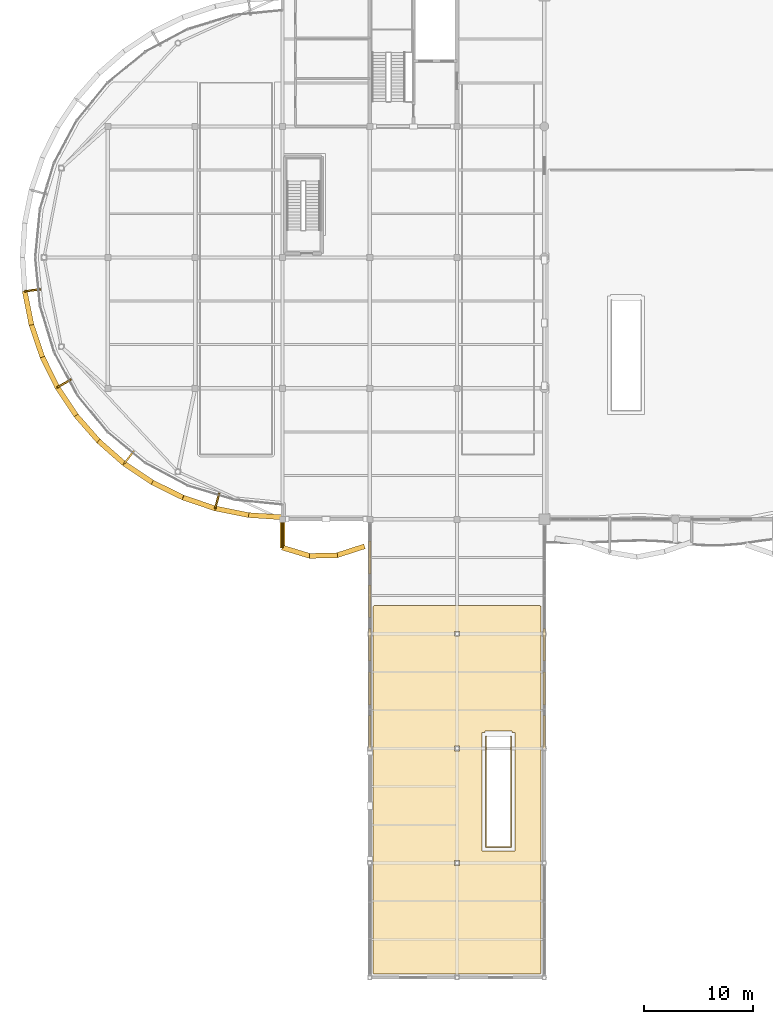
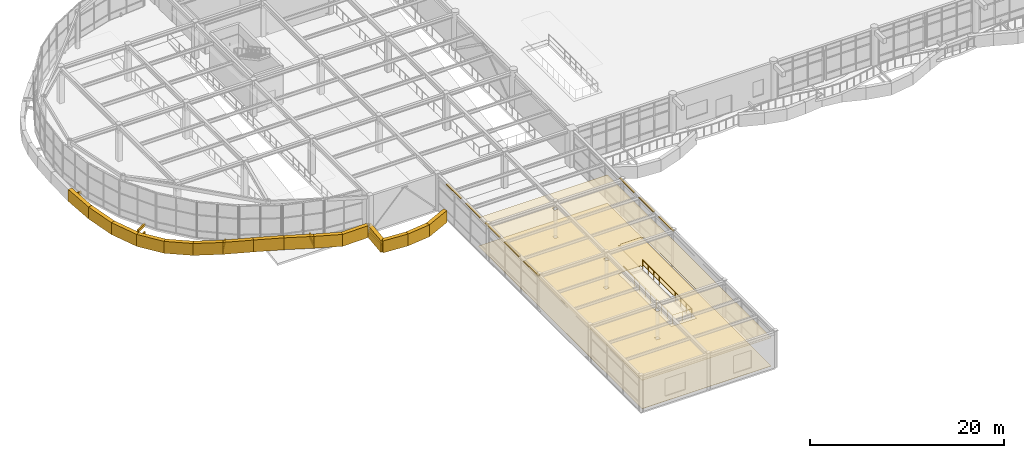
# One storey, part 57 of 72: 24 coverings, 8 shading devices, 1 railing.
"""IFC4 building model written with IfcOpenShell, lengths in metres."""

from ifc_helpers import new_model, si_unit, direction, frame, frame_2d, origin, origin_2d, place, context, subcontext, project, spatial, polyline, rectangle, circle, outline, extrude, material, layer, layer_set, type_object, element, save


model = new_model("IFC4")

# Units and contexts
model_context = context("Model", 3, precision=1e-05, world=origin(), true_north=direction((0.0, 1.0)))
body_context = subcontext(model_context, "Body", "Model", "MODEL_VIEW")
ifc_project = project(units=[si_unit("LENGTHUNIT", "METRE"), si_unit("AREAUNIT", "SQUARE_METRE"), si_unit("VOLUMEUNIT", "CUBIC_METRE"), si_unit("PLANEANGLEUNIT", "RADIAN"), si_unit("MASSUNIT", "GRAM", prefix="KILO")], contexts=[model_context])

# Site, building, storey
site_placement = place(None, origin())
site = spatial("IfcSite", under=ifc_project, at=site_placement, CompositionType="ELEMENT")
building_placement = place(site_placement, origin())
building = spatial("IfcBuilding", under=site, at=building_placement, Name="Keelwater Ferry Terminal", CompositionType="ELEMENT")
storey_placement = place(building_placement, frame((0.0, 0.0, 5.39990234375)))
storey = spatial("IfcBuildingStorey", under=building, at=storey_placement, Name="L01", CompositionType="ELEMENT", Elevation=5.39990234375)

# Coverings
ifc_material_1 = material(Name="Perforated acoustic gypsum board ceiling", Category="gypsum")
ifc_layer_1 = layer(ifc_material_1, 0.044921875)
ifc_layer_set_1 = layer_set([ifc_layer_1], Name="Perforated acoustic gypsum board ceiling")
covering_type_1 = type_object("IfcCoveringType", Name="CL-AC Acoustic Baffle Ceiling", PredefinedType="CEILING", material=ifc_layer_set_1)
covering_1_placement = place(storey_placement, frame((0.0, 0.0, 3.550048828125)))
element("IfcCovering", 1, at=covering_1_placement, inside=storey, type_object=covering_type_1, Name="West Passenger Boarding Bridge Acoustic Ceiling", PredefinedType="CEILING", context=body_context, shape_type="SweptSolid", body=[
    extrude(outline(polyline([(47.615966796875, 34.077880859375), (47.623046875, 34.076904296875), (47.631103515625, 34.073974609375), (47.637939453125, 34.071044921875), (47.64404296875, 34.06689453125), (47.65087890625, 34.06201171875), (47.656982421875, 34.056884765625), (47.662109375, 34.051025390625), (47.6669921875, 34.0439453125), (47.6708984375, 34.0380859375), (47.674072265625, 34.031005859375), (47.677001953125, 34.02294921875), (47.677978515625, 34.01611328125), (47.679931640625, 34.008056640625), (47.679931640625, 34.0), (47.679931640625, 0.39990234375), (47.679931640625, 0.39208984375), (47.677978515625, 0.384033203125), (47.677001953125, 0.376953125), (47.674072265625, 0.368896484375), (47.6708984375, 0.362060546875), (47.6669921875, 0.35595703125), (47.662109375, 0.34912109375), (47.656982421875, 0.343017578125), (47.65087890625, 0.337890625), (47.64404296875, 0.3330078125), (47.637939453125, 0.3291015625), (47.631103515625, 0.325927734375), (47.623046875, 0.322998046875), (47.615966796875, 0.322021484375), (47.60791015625, 0.320068359375), (47.60009765625, 0.320068359375), (32.39990234375, 0.320068359375), (32.39208984375, 0.320068359375), (32.384033203125, 0.322021484375), (32.376953125, 0.322998046875), (32.368896484375, 0.325927734375), (32.362060546875, 0.3291015625), (32.35595703125, 0.3330078125), (32.34912109375, 0.337890625), (32.343017578125, 0.343017578125), (32.337890625, 0.34912109375), (32.3330078125, 0.35595703125), (32.3291015625, 0.362060546875), (32.325927734375, 0.368896484375), (32.322998046875, 0.376953125), (32.322021484375, 0.384033203125), (32.320068359375, 0.39208984375), (32.320068359375, 0.39990234375), (32.320068359375, 34.0), (32.320068359375, 34.008056640625), (32.322021484375, 34.01611328125), (32.322998046875, 34.02294921875), (32.325927734375, 34.031005859375), (32.3291015625, 34.0380859375), (32.3330078125, 34.0439453125), (32.337890625, 34.051025390625), (32.343017578125, 34.056884765625), (32.34912109375, 34.06201171875), (32.35595703125, 34.06689453125), (32.362060546875, 34.071044921875), (32.368896484375, 34.073974609375), (32.376953125, 34.076904296875), (32.384033203125, 34.077880859375), (32.39208984375, 34.080078125), (32.39990234375, 34.080078125), (47.60009765625, 34.080078125), (47.60791015625, 34.080078125), (47.615966796875, 34.077880859375)]), holes=[polyline([(42.580078125, 22.6201171875), (42.580078125, 22.47998046875), (42.300048828125, 22.47998046875), (42.300048828125, 11.60009765625), (45.300048828125, 11.60009765625), (45.300048828125, 22.47998046875), (45.02001953125, 22.47998046875), (45.02001953125, 22.6201171875), (42.580078125, 22.6201171875)]), polyline([(39.787109375, 10.712890625), (39.787109375, 10.287109375), (40.212890625, 10.287109375), (40.212890625, 10.712890625), (39.787109375, 10.712890625)]), polyline([(39.787109375, 21.212890625), (39.787109375, 20.787109375), (40.212890625, 20.787109375), (40.212890625, 21.212890625), (39.787109375, 21.212890625)]), polyline([(40.212890625, 31.712890625), (39.787109375, 31.712890625), (39.787109375, 31.287109375), (40.212890625, 31.287109375), (40.212890625, 31.712890625)])]), origin(), (0.0, 0.0, 1.0), 0.045166015625),
])
ifc_material_2 = material(Name="Polished mineral terrazzo tile", Category="stone")
ifc_layer_2 = layer(ifc_material_2, 0.030029296875)
ifc_layer_set_2 = layer_set([ifc_layer_2], Name="Polished mineral terrazzo tile")
covering_type_2 = type_object("IfcCoveringType", Name="FL-TZ Marine Terrazzo Flooring", PredefinedType="FLOORING", material=ifc_layer_set_2)
covering_2_placement = place(storey_placement, origin())
element("IfcCovering", 2, at=covering_2_placement, inside=storey, type_object=covering_type_2, Name="West Passenger Boarding Bridge Terrazzo Floor", PredefinedType="FLOORING", context=body_context, shape_type="SweptSolid", body=[
    extrude(outline(polyline([(47.615966796875, 34.077880859375), (47.623046875, 34.076904296875), (47.631103515625, 34.073974609375), (47.637939453125, 34.071044921875), (47.64404296875, 34.06689453125), (47.65087890625, 34.06201171875), (47.656982421875, 34.056884765625), (47.662109375, 34.051025390625), (47.6669921875, 34.0439453125), (47.6708984375, 34.0380859375), (47.674072265625, 34.031005859375), (47.677001953125, 34.02294921875), (47.677978515625, 34.01611328125), (47.679931640625, 34.008056640625), (47.679931640625, 34.0), (47.679931640625, 0.39990234375), (47.679931640625, 0.39208984375), (47.677978515625, 0.384033203125), (47.677001953125, 0.376953125), (47.674072265625, 0.368896484375), (47.6708984375, 0.362060546875), (47.6669921875, 0.35595703125), (47.662109375, 0.34912109375), (47.656982421875, 0.343017578125), (47.65087890625, 0.337890625), (47.64404296875, 0.3330078125), (47.637939453125, 0.3291015625), (47.631103515625, 0.325927734375), (47.623046875, 0.322998046875), (47.615966796875, 0.322021484375), (47.60791015625, 0.320068359375), (47.60009765625, 0.320068359375), (32.39990234375, 0.320068359375), (32.39208984375, 0.320068359375), (32.384033203125, 0.322021484375), (32.376953125, 0.322998046875), (32.368896484375, 0.325927734375), (32.362060546875, 0.3291015625), (32.35595703125, 0.3330078125), (32.34912109375, 0.337890625), (32.343017578125, 0.343017578125), (32.337890625, 0.34912109375), (32.3330078125, 0.35595703125), (32.3291015625, 0.362060546875), (32.325927734375, 0.368896484375), (32.322998046875, 0.376953125), (32.322021484375, 0.384033203125), (32.320068359375, 0.39208984375), (32.320068359375, 0.39990234375), (32.320068359375, 34.0), (32.320068359375, 34.008056640625), (32.322021484375, 34.01611328125), (32.322998046875, 34.02294921875), (32.325927734375, 34.031005859375), (32.3291015625, 34.0380859375), (32.3330078125, 34.0439453125), (32.337890625, 34.051025390625), (32.343017578125, 34.056884765625), (32.34912109375, 34.06201171875), (32.35595703125, 34.06689453125), (32.362060546875, 34.071044921875), (32.368896484375, 34.073974609375), (32.376953125, 34.076904296875), (32.384033203125, 34.077880859375), (32.39208984375, 34.080078125), (32.39990234375, 34.080078125), (47.60009765625, 34.080078125), (47.60791015625, 34.080078125), (47.615966796875, 34.077880859375)]), holes=[polyline([(42.580078125, 22.6201171875), (42.580078125, 22.47998046875), (42.300048828125, 22.47998046875), (42.300048828125, 11.60009765625), (45.300048828125, 11.60009765625), (45.300048828125, 22.47998046875), (45.02001953125, 22.47998046875), (45.02001953125, 22.6201171875), (42.580078125, 22.6201171875)]), polyline([(39.787109375, 10.712890625), (39.787109375, 10.287109375), (40.212890625, 10.287109375), (40.212890625, 10.712890625), (39.787109375, 10.712890625)]), polyline([(39.787109375, 21.212890625), (39.787109375, 20.787109375), (40.212890625, 20.787109375), (40.212890625, 21.212890625), (39.787109375, 21.212890625)]), polyline([(40.212890625, 31.712890625), (39.787109375, 31.712890625), (39.787109375, 31.287109375), (40.212890625, 31.287109375), (40.212890625, 31.712890625)])]), origin(), (0.0, 0.0, 1.0), 0.030029296875),
])

# Railing
ifc_material_3 = material(Name="Painted Steel S355", Category="steel")
railing_type = type_object("IfcRailingType", Name="GR-115 Stair Well Guardrail", PredefinedType="GUARDRAIL", material=ifc_material_3)
railing_placement = place(storey_placement, frame((44.93994140625, 22.080078125, 0.0)))
element("IfcRailing", 3, at=railing_placement, inside=storey, type_object=railing_type, Name="Straight Stair BS-01 Top Well U-Guard 123", PredefinedType="GUARDRAIL", context=body_context, shape_type="SweptSolid", body=[
    extrude(circle(Radius=0.02392578125, at=origin_2d()), frame((0.0, 0.0, 1.1259765625), z_axis=(0.0, -1.0, 0.0), x_axis=(1.0, 0.0, 0.0)), (0.0, 0.0, 1.0), 10.1201171875),
    extrude(circle(Radius=0.02392578125, at=origin_2d()), frame((0.0, -10.1201171875, 1.1259765625), z_axis=(-1.0, 0.0, 0.0), x_axis=(0.0, -1.0, 0.0)), (0.0, 0.0, 1.0), 2.280029296875),
    extrude(circle(Radius=0.02392578125, at=origin_2d()), frame((-2.280029296875, -10.1201171875, 1.1259765625), z_axis=(0.0, 1.0, 0.0), x_axis=(-1.0, 0.0, 0.0)), (0.0, 0.0, 1.0), 10.1201171875),
    extrude(circle(Radius=0.02099609375, at=origin_2d()), origin(), (0.0, 0.0, 1.0), 1.101806640625),
    extrude(circle(Radius=0.02099609375, at=origin_2d()), frame((0.0, -1.12451171875, 0.0)), (0.0, 0.0, 1.0), 1.101806640625),
    extrude(circle(Radius=0.02099609375, at=origin_2d()), frame((0.0, -2.2490234375, 0.0)), (0.0, 0.0, 1.0), 1.101806640625),
    extrude(circle(Radius=0.02099609375, at=origin_2d()), frame((0.0, -3.373291015625, 0.0)), (0.0, 0.0, 1.0), 1.101806640625),
    extrude(circle(Radius=0.02099609375, at=origin_2d()), frame((0.0, -4.497802734375, 0.0)), (0.0, 0.0, 1.0), 1.101806640625),
    extrude(circle(Radius=0.02099609375, at=origin_2d()), frame((0.0, -5.622314453125, 0.0)), (0.0, 0.0, 1.0), 1.101806640625),
    extrude(circle(Radius=0.02099609375, at=origin_2d()), frame((0.0, -6.746826171875, 0.0)), (0.0, 0.0, 1.0), 1.101806640625),
    extrude(circle(Radius=0.02099609375, at=origin_2d()), frame((0.0, -7.87109375, 0.0)), (0.0, 0.0, 1.0), 1.101806640625),
    extrude(circle(Radius=0.02099609375, at=origin_2d()), frame((0.0, -8.99560546875, 0.0)), (0.0, 0.0, 1.0), 1.101806640625),
    extrude(circle(Radius=0.02099609375, at=origin_2d()), frame((0.0, -10.1201171875, 0.0)), (0.0, 0.0, 1.0), 1.101806640625),
    extrude(circle(Radius=0.02099609375, at=origin_2d()), frame((-1.14013671875, -10.1201171875, 0.0)), (0.0, 0.0, 1.0), 1.101806640625),
    extrude(circle(Radius=0.02099609375, at=origin_2d()), frame((-2.280029296875, -10.1201171875, 0.0)), (0.0, 0.0, 1.0), 1.101806640625),
    extrude(circle(Radius=0.02099609375, at=origin_2d()), frame((-2.280029296875, -8.99560546875, 0.0)), (0.0, 0.0, 1.0), 1.101806640625),
    extrude(circle(Radius=0.02099609375, at=origin_2d()), frame((-2.280029296875, -7.87109375, 0.0)), (0.0, 0.0, 1.0), 1.101806640625),
    extrude(circle(Radius=0.02099609375, at=origin_2d()), frame((-2.280029296875, -6.746826171875, 0.0)), (0.0, 0.0, 1.0), 1.101806640625),
    extrude(circle(Radius=0.02099609375, at=origin_2d()), frame((-2.280029296875, -5.622314453125, 0.0)), (0.0, 0.0, 1.0), 1.101806640625),
    extrude(circle(Radius=0.02099609375, at=origin_2d()), frame((-2.280029296875, -4.497802734375, 0.0)), (0.0, 0.0, 1.0), 1.101806640625),
    extrude(circle(Radius=0.02099609375, at=origin_2d()), frame((-2.280029296875, -3.373291015625, 0.0)), (0.0, 0.0, 1.0), 1.101806640625),
    extrude(circle(Radius=0.02099609375, at=origin_2d()), frame((-2.280029296875, -2.2490234375, 0.0)), (0.0, 0.0, 1.0), 1.101806640625),
    extrude(circle(Radius=0.02099609375, at=origin_2d()), frame((-2.280029296875, -1.12451171875, 0.0)), (0.0, 0.0, 1.0), 1.101806640625),
    extrude(circle(Radius=0.02099609375, at=origin_2d()), frame((-2.280029296875, 0.0, 0.0)), (0.0, 0.0, 1.0), 1.101806640625),
])

# Shading devices
ifc_material_4 = material(Name="Anodised marine aluminium louvre", Category="aluminium")
ifc_layer_3 = layer(ifc_material_4, 0.080078125)
ifc_layer_set_3 = layer_set([ifc_layer_3], Name="Anodised marine aluminium louvre")
shading_device_type = type_object("IfcShadingDeviceType", Name="LV-MAR Marine Shading Louvre", PredefinedType="JALOUSIE", material=ifc_layer_set_3)
for number, where, z_axis, x_axis, name in (
    (4, (32.0, 22.5, 4.31005859375), (0.0, 0.0, 1.0), (1.0, 0.0, 0.0), "Marine Shading Louvre 1"),
    (5, (32.0, 26.5, 4.31005859375), (0.0, 0.0, 1.0), (1.0, 0.0, 0.0), "Marine Shading Louvre 2"),
    (6, (32.0, 30.5, 4.31005859375), (0.0, 0.0, 1.0), (1.0, 0.0, 0.0), "Marine Shading Louvre 3"),
    (7, (32.0, 34.5, 4.31005859375), (0.0, 0.0, 1.0), (1.0, 0.0, 0.0), "Marine Shading Louvre 4"),
    (8, (32.0, 38.5, 4.31005859375), (0.0, 0.0, 1.0), (1.0, 0.0, 0.0), "Marine Shading Louvre 5"),
    (9, (48.0, 22.5, 4.31005859375), (0.0, 0.0, 1.0), (1.0, 0.0, 0.0), "Marine Shading Louvre 6"),
    (10, (48.0, 26.5, 4.31005859375), (0.0, 0.0, 1.0), (1.0, 0.0, 0.0), "Marine Shading Louvre 7"),
    (11, (48.0, 30.5, 4.31005859375), (0.0, 0.0, 1.0), (1.0, 0.0, 0.0), "Marine Shading Louvre 8"),
):
    element("IfcShadingDevice", number, at=place(storey_placement, frame(where, z_axis=z_axis, x_axis=x_axis)), inside=storey, type_object=shading_device_type, Name=name, PredefinedType="JALOUSIE", context=body_context, shape_type="SweptSolid", body=[
        extrude(rectangle(XDim=0.219970703125, YDim=3.0, at=origin_2d()), origin(), (0.0, 0.0, 1.0), 0.080078125),
    ])

# Coverings
ifc_material_5 = material(Name="Matte white architectural aluminium fascia ribbon", Category="aluminium")
ifc_layer_4 = layer(ifc_material_5, 0.1201171875)
ifc_layer_set_4 = layer_set([ifc_layer_4], Name="Matte white architectural aluminium fascia ribbon")
covering_type_3 = type_object("IfcCoveringType", Name="RB-WHT Matte White Fascia Ribbon", PredefinedType="CLADDING", material=ifc_layer_set_4)
covering_3_placement = place(storey_placement, frame((0.37890625, 62.916015625, -1.101806640625), z_axis=(0.0, 0.0, 1.0), x_axis=(0.195196875454, -0.98076407959, 0.0)))
element("IfcCovering", 12, at=covering_3_placement, inside=storey, type_object=covering_type_3, Name="Concourse Lower Wave Fascia Ribbon 240", PredefinedType="CLADDING", context=body_context, shape_type="SweptSolid", body=[
    extrude(outline(polyline([(0.0, 0.544921875), (3.1669921875, 0.0), (3.1669921875, 1.5), (0.0, 2.044921875), (0.0, 0.544921875)])), frame((0.0, 0.22998046875, 0.0), z_axis=(0.0, -1.0, 0.0), x_axis=(1.0, 0.0, 0.0)), (0.0, 0.0, 1.0), 0.4599609375),
])
covering_4_placement = place(storey_placement, frame((0.384033203125, 62.89111328125, -0.25), z_axis=(0.0, 0.0, 1.0), x_axis=(0.991476053756, 0.130289043397, 0.0)))
element("IfcCovering", 13, at=covering_4_placement, inside=storey, type_object=covering_type_3, Name="Ribbon Slab Tie Bracket 246", PredefinedType="CLADDING", context=body_context, shape_type="SweptSolid", body=[
    extrude(rectangle(XDim=1.450439453125, YDim=0.159912109375, at=frame_2d((0.72509765625, 0.0))), origin(), (0.0, 0.0, 1.0), 0.300048828125),
])
covering_5_placement = place(storey_placement, frame((0.98388671875, 59.85888671875, -1.6240234375), z_axis=(0.0, 0.0, 1.0), x_axis=(0.321196336342, -0.94701262585, 0.0)))
element("IfcCovering", 14, at=covering_5_placement, inside=storey, type_object=covering_type_3, Name="Concourse Lower Wave Fascia Ribbon 251", PredefinedType="CLADDING", context=body_context, shape_type="SweptSolid", body=[
    extrude(outline(polyline([(0.0, 0.522216796875), (3.16650390625, 0.0), (3.16650390625, 1.5), (0.0, 2.022216796875), (0.0, 0.522216796875)])), frame((0.0, 0.22998046875, 0.0), z_axis=(0.0, -1.0, 0.0), x_axis=(1.0, 0.0, 0.0)), (0.0, 0.0, 1.0), 0.4599609375),
])
covering_6_placement = place(storey_placement, frame((1.98193359375, 56.906005859375, -1.889892578125), z_axis=(0.0, 0.0, 1.0), x_axis=(0.442454846905, -0.896790782987, 0.0)))
element("IfcCovering", 15, at=covering_6_placement, inside=storey, type_object=covering_type_3, Name="Concourse Lower Wave Fascia Ribbon 255", PredefinedType="CLADDING", context=body_context, shape_type="SweptSolid", body=[
    extrude(outline(polyline([(0.0, 0.265869140625), (3.16455078125, 0.0), (3.16455078125, 1.5), (0.0, 1.765869140625), (0.0, 0.265869140625)])), frame((0.0, 0.22998046875, 0.0), z_axis=(0.0, -1.0, 0.0), x_axis=(1.0, 0.0, 0.0)), (0.0, 0.0, 1.0), 0.4599609375),
])
covering_7_placement = place(storey_placement, frame((3.35693359375, 54.111083984375, -1.889892578125), z_axis=(0.0, 0.0, 1.0), x_axis=(0.55550058618, -0.831516144614, 0.0)))
element("IfcCovering", 16, at=covering_7_placement, inside=storey, type_object=covering_type_3, Name="Concourse Lower Wave Fascia Ribbon 259", PredefinedType="CLADDING", context=body_context, shape_type="SweptSolid", body=[
    extrude(outline(polyline([(0.0, 0.0), (3.16650390625, 0.10595703125), (3.16650390625, 1.60595703125), (0.0, 1.5), (0.0, 0.0)])), frame((0.0, 0.22998046875, 0.0), z_axis=(0.0, -1.0, 0.0), x_axis=(1.0, 0.0, 0.0)), (0.0, 0.0, 1.0), 0.4599609375),
])
covering_8_placement = place(storey_placement, frame((3.37109375, 54.090087890625, -1.27978515625), z_axis=(0.0, 0.0, 1.0), x_axis=(0.866090267075, 0.499887636653, 0.0)))
element("IfcCovering", 17, at=covering_8_placement, inside=storey, type_object=covering_type_3, Name="Ribbon Horizontal Tie Bracket 263", PredefinedType="CLADDING", context=body_context, shape_type="SweptSolid", body=[
    extrude(rectangle(XDim=1.449951171875, YDim=0.159912109375, at=frame_2d((0.72509765625, 0.0))), origin(), (0.0, 0.0, 1.0), 0.27978515625),
])
covering_9_placement = place(storey_placement, frame((3.37109375, 54.090087890625, -0.25), z_axis=(0.0, 0.0, 1.0), x_axis=(0.866090267075, 0.499887636653, 0.0)))
element("IfcCovering", 18, at=covering_9_placement, inside=storey, type_object=covering_type_3, Name="Ribbon Slab Tie Bracket 265", PredefinedType="CLADDING", context=body_context, shape_type="SweptSolid", body=[
    extrude(rectangle(XDim=1.449951171875, YDim=0.159912109375, at=frame_2d((0.72509765625, 0.0))), origin(), (0.0, 0.0, 1.0), 0.300048828125),
])
covering_10_placement = place(storey_placement, frame((5.0859375, 51.51806640625, -1.783935546875), z_axis=(0.0, 0.0, 1.0), x_axis=(0.65931776004, -0.75186441018, 0.0)))
element("IfcCovering", 19, at=covering_10_placement, inside=storey, type_object=covering_type_3, Name="Concourse Lower Wave Fascia Ribbon 270", PredefinedType="CLADDING", context=body_context, shape_type="SweptSolid", body=[
    extrude(outline(polyline([(0.0, 0.0), (3.16552734375, 0.43310546875), (3.16552734375, 1.93310546875), (0.0, 1.5), (0.0, 0.0)])), frame((0.0, 0.22998046875, 0.0), z_axis=(0.0, -1.0, 0.0), x_axis=(1.0, 0.0, 0.0)), (0.0, 0.0, 1.0), 0.4599609375),
])
covering_11_placement = place(storey_placement, frame((7.137939453125, 49.173095703125, -1.350830078125), z_axis=(0.0, 0.0, 1.0), x_axis=(0.75186441018, -0.65931776004, 0.0)))
element("IfcCovering", 20, at=covering_11_placement, inside=storey, type_object=covering_type_3, Name="Concourse Lower Wave Fascia Ribbon 274", PredefinedType="CLADDING", context=body_context, shape_type="SweptSolid", body=[
    extrude(outline(polyline([(0.0, 0.0), (3.16552734375, 0.56689453125), (3.16552734375, 2.06689453125), (0.0, 1.5), (0.0, 0.0)])), frame((0.0, 0.22998046875, 0.0), z_axis=(0.0, -1.0, 0.0), x_axis=(1.0, 0.0, 0.0)), (0.0, 0.0, 1.0), 0.4599609375),
])
covering_12_placement = place(storey_placement, frame((9.47802734375, 47.115966796875, -0.783935546875), z_axis=(0.0, 0.0, 1.0), x_axis=(0.831516144614, -0.55550058618, 0.0)))
element("IfcCovering", 21, at=covering_12_placement, inside=storey, type_object=covering_type_3, Name="Concourse Lower Wave Fascia Ribbon 278", PredefinedType="CLADDING", context=body_context, shape_type="SweptSolid", body=[
    extrude(outline(polyline([(0.0, 0.0), (3.16650390625, 0.447998046875), (3.16650390625, 1.947998046875), (0.0, 1.5), (0.0, 0.0)])), frame((0.0, 0.22998046875, 0.0), z_axis=(0.0, -1.0, 0.0), x_axis=(1.0, 0.0, 0.0)), (0.0, 0.0, 1.0), 0.4599609375),
])
covering_13_placement = place(storey_placement, frame((9.4990234375, 47.10205078125, -0.25), z_axis=(0.0, 0.0, 1.0), x_axis=(0.609067672467, 0.793118257484, 0.0)))
element("IfcCovering", 22, at=covering_13_placement, inside=storey, type_object=covering_type_3, Name="Ribbon Slab Tie Bracket 283", PredefinedType="CLADDING", context=body_context, shape_type="SweptSolid", body=[
    extrude(rectangle(XDim=1.449951171875, YDim=0.159912109375, at=frame_2d((0.72509765625, 0.0))), origin(), (0.0, 0.0, 1.0), 0.300048828125),
])
covering_14_placement = place(storey_placement, frame((12.068115234375, 45.382080078125, -0.3359375), z_axis=(0.0, 0.0, 1.0), x_axis=(0.896790782987, -0.442454846905, 0.0)))
element("IfcCovering", 23, at=covering_14_placement, inside=storey, type_object=covering_type_3, Name="Concourse Lower Wave Fascia Ribbon 288", PredefinedType="CLADDING", context=body_context, shape_type="SweptSolid", body=[
    extrude(outline(polyline([(0.0, 0.0), (3.16455078125, 0.131103515625), (3.16455078125, 1.631103515625), (0.0, 1.5), (0.0, 0.0)])), frame((0.0, 0.22998046875, 0.0), z_axis=(0.0, -1.0, 0.0), x_axis=(1.0, 0.0, 0.0)), (0.0, 0.0, 1.0), 0.4599609375),
])
covering_15_placement = place(storey_placement, frame((14.860107421875, 44.0009765625, -0.449951171875), z_axis=(0.0, 0.0, 1.0), x_axis=(0.94701262585, -0.321196336342, 0.0)))
element("IfcCovering", 24, at=covering_15_placement, inside=storey, type_object=covering_type_3, Name="Concourse Lower Wave Fascia Ribbon 292", PredefinedType="CLADDING", context=body_context, shape_type="SweptSolid", body=[
    extrude(outline(polyline([(0.0, 0.2451171875), (3.16650390625, 0.0), (3.16650390625, 1.5), (0.0, 1.7451171875), (0.0, 0.2451171875)])), frame((0.0, 0.22998046875, 0.0), z_axis=(0.0, -1.0, 0.0), x_axis=(1.0, 0.0, 0.0)), (0.0, 0.0, 1.0), 0.4599609375),
])
covering_16_placement = place(storey_placement, frame((17.81005859375, 42.9970703125, -0.907958984375), z_axis=(0.0, 0.0, 1.0), x_axis=(0.98076407959, -0.195196875454, 0.0)))
element("IfcCovering", 25, at=covering_16_placement, inside=storey, type_object=covering_type_3, Name="Concourse Lower Wave Fascia Ribbon 296", PredefinedType="CLADDING", context=body_context, shape_type="SweptSolid", body=[
    extrude(outline(polyline([(0.0, 0.4580078125), (3.1669921875, 0.0), (3.1669921875, 1.5), (0.0, 1.9580078125), (0.0, 0.4580078125)])), frame((0.0, 0.22998046875, 0.0), z_axis=(0.0, -1.0, 0.0), x_axis=(1.0, 0.0, 0.0)), (0.0, 0.0, 1.0), 0.4599609375),
])
covering_17_placement = place(storey_placement, frame((17.8349609375, 42.991943359375, 0.16015625), z_axis=(0.0, 0.0, 1.0), x_axis=(0.258542567344, 0.965999865875, 0.0)))
element("IfcCovering", 26, at=covering_17_placement, inside=storey, type_object=covering_type_3, Name="Ribbon Horizontal Tie Bracket 300", PredefinedType="CLADDING", context=body_context, shape_type="SweptSolid", body=[
    extrude(rectangle(XDim=1.450439453125, YDim=0.159912109375, at=frame_2d((0.72509765625, 0.0))), origin(), (0.0, 0.0, 1.0), 0.280029296875),
])
covering_18_placement = place(storey_placement, frame((17.8349609375, 42.991943359375, -0.25), z_axis=(0.0, 0.0, 1.0), x_axis=(0.258542567344, 0.965999865875, 0.0)))
element("IfcCovering", 27, at=covering_18_placement, inside=storey, type_object=covering_type_3, Name="Ribbon Slab Tie Bracket 303", PredefinedType="CLADDING", context=body_context, shape_type="SweptSolid", body=[
    extrude(rectangle(XDim=1.450439453125, YDim=0.159912109375, at=frame_2d((0.72509765625, 0.0))), origin(), (0.0, 0.0, 1.0), 0.300048828125),
])
covering_19_placement = place(storey_placement, frame((20.865966796875, 42.385986328125, -0.907958984375), z_axis=(0.0, 0.0, 1.0), x_axis=(0.997839082041, -0.065705147067, 0.0)))
element("IfcCovering", 28, at=covering_19_placement, inside=storey, type_object=covering_type_3, Name="Concourse Lower Wave Fascia Ribbon 308", PredefinedType="CLADDING", context=body_context, shape_type="SweptSolid", body=[
    extrude(outline(polyline([(0.0, 0.0), (3.165771484375, 0.220947265625), (3.165771484375, 1.720947265625), (0.0, 1.5), (0.0, 0.0)])), frame((0.0, 0.22998046875, 0.0), z_axis=(0.0, -1.0, 0.0), x_axis=(1.0, 0.0, 0.0)), (0.0, 0.0, 1.0), 0.4599609375),
])
covering_20_placement = place(storey_placement, frame((24.0, 42.205078125, -1.010986328125), z_axis=(0.0, 0.0, 1.0), x_axis=(0.0, -1.0, 0.0)))
element("IfcCovering", 29, at=covering_20_placement, inside=storey, type_object=covering_type_3, Name="Concourse Lower Wave Fascia Ribbon 312", PredefinedType="CLADDING", context=body_context, shape_type="SweptSolid", body=[
    extrude(outline(polyline([(0.0, 0.323974609375), (2.830078125, 0.0), (2.830078125, 1.5), (0.0, 1.823974609375), (0.0, 0.323974609375)])), frame((0.0, 0.22998046875, 0.0), z_axis=(0.0, -1.0, 0.0), x_axis=(1.0, 0.0, 0.0)), (0.0, 0.0, 1.0), 0.4599609375),
])
covering_21_placement = place(storey_placement, frame((23.97607421875, 39.406982421875, -1.010986328125), z_axis=(0.0, 0.0, 1.0), x_axis=(0.957441620539, -0.288626996763, 0.0)))
element("IfcCovering", 30, at=covering_21_placement, inside=storey, type_object=covering_type_3, Name="Concourse Lower Wave Fascia Ribbon 315", PredefinedType="CLADDING", context=body_context, shape_type="SweptSolid", body=[
    extrude(outline(polyline([(0.0, 0.0), (2.6611328125, 0.4580078125), (2.6611328125, 1.9580078125), (0.0, 1.5), (0.0, 0.0)])), frame((0.0, 0.22998046875, 0.0), z_axis=(0.0, -1.0, 0.0), x_axis=(1.0, 0.0, 0.0)), (0.0, 0.0, 1.0), 0.4599609375),
])
covering_22_placement = place(storey_placement, frame((24.0, 39.39990234375, -0.25), z_axis=(0.0, 0.0, 1.0), x_axis=(0.0, 1.0, 0.0)))
element("IfcCovering", 31, at=covering_22_placement, inside=storey, type_object=covering_type_3, Name="Ribbon Slab Tie Bracket 320", PredefinedType="CLADDING", context=body_context, shape_type="SweptSolid", body=[
    extrude(rectangle(XDim=2.85009765625, YDim=0.159912109375, at=frame_2d((1.425048828125, 0.0))), origin(), (0.0, 0.0, 1.0), 0.300048828125),
])
covering_23_placement = place(storey_placement, frame((26.47509765625, 38.64501953125, -0.552978515625), z_axis=(0.0, 0.0, 1.0), x_axis=(0.99972271535, 0.023547662579, 0.0)))
element("IfcCovering", 32, at=covering_23_placement, inside=storey, type_object=covering_type_3, Name="Concourse Lower Wave Fascia Ribbon 324", PredefinedType="CLADDING", context=body_context, shape_type="SweptSolid", body=[
    extrude(outline(polyline([(0.0, 0.0), (2.550537109375, 0.218017578125), (2.550537109375, 1.718017578125), (0.0, 1.5), (0.0, 0.0)])), frame((0.0, 0.22998046875, 0.0), z_axis=(0.0, -1.0, 0.0), x_axis=(1.0, 0.0, 0.0)), (0.0, 0.0, 1.0), 0.4599609375),
])
covering_24_placement = place(storey_placement, frame((28.97607421875, 38.696044921875, -0.3349609375), z_axis=(0.0, 0.0, 1.0), x_axis=(0.951587367147, 0.30737840309, 0.0)))
element("IfcCovering", 33, at=covering_24_placement, inside=storey, type_object=covering_type_3, Name="Concourse Lower Wave Fascia Ribbon 327", PredefinedType="CLADDING", context=body_context, shape_type="SweptSolid", body=[
    extrude(outline(polyline([(0.0, 0.0), (2.677490234375, 0.406982421875), (2.677490234375, 1.906982421875), (0.0, 1.5), (0.0, 0.0)])), frame((0.0, 0.22998046875, 0.0), z_axis=(0.0, -1.0, 0.0), x_axis=(1.0, 0.0, 0.0)), (0.0, 0.0, 1.0), 0.4599609375),
])

save(model, "model.ifc")
